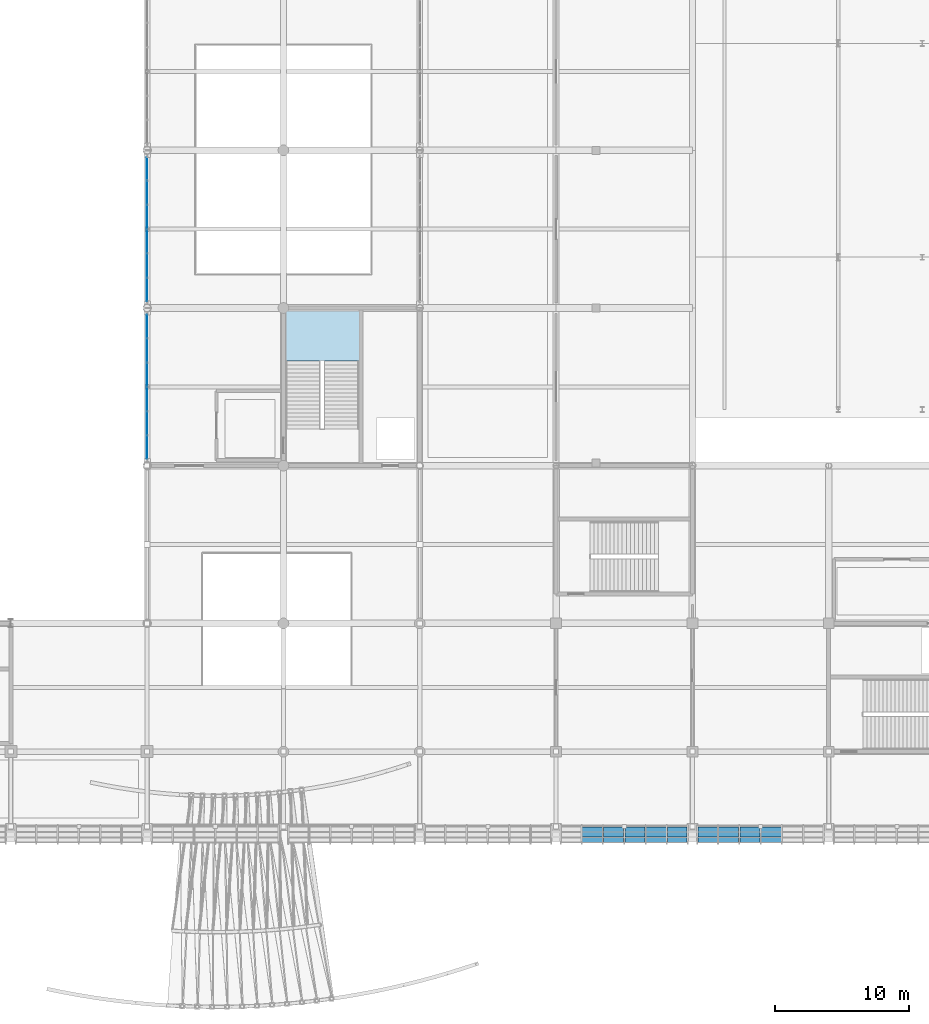
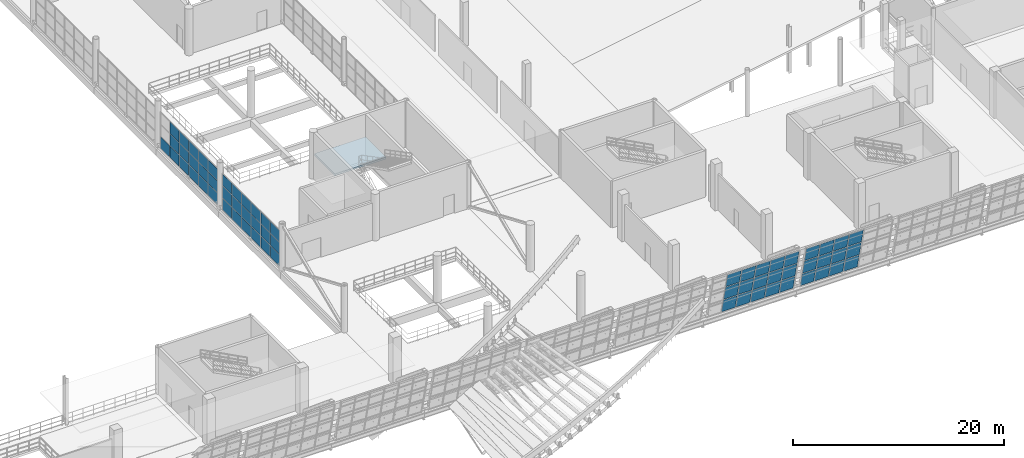
# One storey, part 113 of 175: 61 plates, 1 slab, 5 elements without a shape of their own.
"""IFC4 building model written with IfcOpenShell, lengths in metres."""

from ifc_helpers import new_model, si_unit, direction, frame, origin, origin_2d, place, context, subcontext, project, spatial, polyline, rectangle, outline, extrude, material, layer, layer_set, type_object, element, aggregate, save


model = new_model("IFC4")

# Units and contexts
model_context = context("Model", 3, precision=1e-05, world=origin(), true_north=direction((0.0, 1.0)))
body_context = subcontext(model_context, "Body", "Model", "MODEL_VIEW")
ifc_project = project(units=[si_unit("LENGTHUNIT", "METRE"), si_unit("AREAUNIT", "SQUARE_METRE"), si_unit("VOLUMEUNIT", "CUBIC_METRE"), si_unit("PLANEANGLEUNIT", "RADIAN"), si_unit("MASSUNIT", "GRAM", prefix="KILO")], contexts=[model_context])

# Site, building, storey
site_placement = place(None, origin())
site = spatial("IfcSite", under=ifc_project, at=site_placement, CompositionType="ELEMENT")
building_placement = place(site_placement, origin())
building = spatial("IfcBuilding", under=site, at=building_placement, Name="Brelvane Convention Centre", CompositionType="ELEMENT")
storey_placement = place(building_placement, frame((0.0, 0.0, 5.39990234375)))
storey = spatial("IfcBuildingStorey", under=building, at=storey_placement, Name="L01", CompositionType="ELEMENT", Elevation=5.39990234375)

# Curtain wall, plates
ifc_material_1 = material(Name="Anodised Aluminium Alloy 6063-T6", Category="aluminium")
curtain_wall_type_1 = type_object("IfcCurtainWallType", Name="Curtain Wall CW-HULL-S", PredefinedType="USERDEFINED", material=ifc_material_1)
curtain_wall_1_placement = place(storey_placement, origin())
curtain_wall_1 = element("IfcCurtainWall", 1, at=curtain_wall_1_placement, inside=storey, type_object=curtain_wall_type_1, Name="Curtain Wall CW-HULL-S L01-HULL-S-L01-18", ObjectType="UNITISED", PredefinedType="USERDEFINED")
ifc_material_2 = material(Name="Double Glazed Low-E Laminated Unit")
ifc_layer_1 = layer(ifc_material_2, 0.031982421875)
ifc_layer_set_1 = layer_set([ifc_layer_1], Name="Double Glazed Low-E Laminated Unit")
plate_type_1 = type_object("IfcPlateType", Name="Curtain Panel CW-PG1", PredefinedType="CURTAIN_PANEL", material=ifc_layer_set_1)
plate_1_placement = place(storey_placement, frame((175.353271484375, 13.18798828125, 1.7568359375), z_axis=(0.0, 0.973584535906, 0.228326852222), x_axis=(1.0, 0.0, 0.0)))
plate_1 = element("IfcPlate", 2, at=plate_1_placement, type_object=plate_type_1, Name="CW-HULL-S panel 2.2", PredefinedType="CURTAIN_PANEL", context=body_context, shape_type="SweptSolid", body=[
    extrude(outline(polyline([(0.0, 0.0), (1.513427734375, 0.0), (1.513427734375, -1.680875721647406), (0.0, -1.680875721647406), (0.0, 0.0)])), origin(), (0.0, 0.0, -1.0), 0.031982421875),
])
plate_2_placement = place(storey_placement, frame((175.353271484375, 12.785400390625, 3.473388671875), z_axis=(0.0, 0.973577021422, 0.228358891569), x_axis=(1.0, 0.0, 0.0)))
plate_2 = element("IfcPlate", 3, at=plate_2_placement, type_object=plate_type_1, Name="CW-HULL-S panel 2.3", PredefinedType="CURTAIN_PANEL", context=body_context, shape_type="SweptSolid", body=[
    extrude(outline(polyline([(0.0, 0.0), (1.513427734375, 0.0), (1.513427734375, -1.6400137352949753), (0.0, -1.6400137352949753), (0.0, 0.0)])), origin(), (0.0, 0.0, -1.0), 0.031982421875),
])
plate_3_placement = place(storey_placement, frame((176.94677734375, 13.18798828125, 1.7568359375), z_axis=(0.0, 0.973584535906, 0.228326852222), x_axis=(1.0, 0.0, 0.0)))
plate_3 = element("IfcPlate", 4, at=plate_3_placement, type_object=plate_type_1, Name="CW-HULL-S panel 3.2", PredefinedType="CURTAIN_PANEL", context=body_context, shape_type="SweptSolid", body=[
    extrude(outline(polyline([(0.0, 0.0), (1.51318359375, 0.0), (1.51318359375, -1.680875721647406), (0.0, -1.680875721647406), (0.0, 0.0)])), origin(), (0.0, 0.0, -1.0), 0.031982421875),
])
plate_4_placement = place(storey_placement, frame((176.94677734375, 12.785400390625, 3.473388671875), z_axis=(0.0, 0.973577021422, 0.228358891569), x_axis=(1.0, 0.0, 0.0)))
plate_4 = element("IfcPlate", 5, at=plate_4_placement, type_object=plate_type_1, Name="CW-HULL-S panel 3.3", PredefinedType="CURTAIN_PANEL", context=body_context, shape_type="SweptSolid", body=[
    extrude(outline(polyline([(0.0, 0.0), (1.51318359375, 0.0), (1.51318359375, -1.640013735294975), (0.0, -1.640013735294975), (0.0, 0.0)])), origin(), (0.0, 0.0, -1.0), 0.031982421875),
])
plate_5_placement = place(storey_placement, frame((178.5400390625, 13.18798828125, 1.7568359375), z_axis=(0.0, 0.973584535906, 0.228326852222), x_axis=(1.0, 0.0, 0.0)))
plate_5 = element("IfcPlate", 6, at=plate_5_placement, type_object=plate_type_1, Name="CW-HULL-S panel 4.2", PredefinedType="CURTAIN_PANEL", context=body_context, shape_type="SweptSolid", body=[
    extrude(outline(polyline([(0.0, 0.0), (1.51318359375, 0.0), (1.51318359375, -1.680875721647406), (0.0, -1.680875721647406), (0.0, 0.0)])), origin(), (0.0, 0.0, -1.0), 0.031982421875),
])
plate_6_placement = place(storey_placement, frame((178.5400390625, 12.785400390625, 3.473388671875), z_axis=(0.0, 0.973577021422, 0.228358891569), x_axis=(1.0, 0.0, 0.0)))
plate_6 = element("IfcPlate", 7, at=plate_6_placement, type_object=plate_type_1, Name="CW-HULL-S panel 4.3", PredefinedType="CURTAIN_PANEL", context=body_context, shape_type="SweptSolid", body=[
    extrude(outline(polyline([(0.0, 0.0), (1.51318359375, 0.0), (1.51318359375, -1.640013735294975), (0.0, -1.640013735294975), (0.0, 0.0)])), origin(), (0.0, 0.0, -1.0), 0.031982421875),
])
plate_7_placement = place(storey_placement, frame((180.13330078125, 13.18798828125, 1.7568359375), z_axis=(0.0, 0.973584535906, 0.228326852222), x_axis=(1.0, 0.0, 0.0)))
plate_7 = element("IfcPlate", 8, at=plate_7_placement, type_object=plate_type_1, Name="CW-HULL-S panel 5.2", PredefinedType="CURTAIN_PANEL", context=body_context, shape_type="SweptSolid", body=[
    extrude(outline(polyline([(0.0, 0.0), (1.513427734375, 0.0), (1.513427734375, -1.680875721647406), (0.0, -1.680875721647406), (0.0, 0.0)])), origin(), (0.0, 0.0, -1.0), 0.031982421875),
])
plate_8_placement = place(storey_placement, frame((180.13330078125, 12.785400390625, 3.473388671875), z_axis=(0.0, 0.973577021422, 0.228358891569), x_axis=(1.0, 0.0, 0.0)))
plate_8 = element("IfcPlate", 9, at=plate_8_placement, type_object=plate_type_1, Name="CW-HULL-S panel 5.3", PredefinedType="CURTAIN_PANEL", context=body_context, shape_type="SweptSolid", body=[
    extrude(outline(polyline([(0.0, 0.0), (1.513427734375, 0.0), (1.513427734375, -1.6400137352949753), (0.0, -1.6400137352949753), (0.0, 0.0)])), origin(), (0.0, 0.0, -1.0), 0.031982421875),
])
plate_9_placement = place(storey_placement, frame((181.7265625, 13.18798828125, 1.7568359375), z_axis=(0.0, 0.973584535906, 0.228326852222), x_axis=(1.0, 0.0, 0.0)))
plate_9 = element("IfcPlate", 10, at=plate_9_placement, type_object=plate_type_1, Name="CW-HULL-S panel 6.2", PredefinedType="CURTAIN_PANEL", context=body_context, shape_type="SweptSolid", body=[
    extrude(outline(polyline([(0.0, 0.0), (1.473388671875, 0.0), (1.473388671875, -1.680875721647406), (0.0, -1.680875721647406), (0.0, 0.0)])), origin(), (0.0, 0.0, -1.0), 0.031982421875),
])
plate_10_placement = place(storey_placement, frame((181.7265625, 12.785400390625, 3.473388671875), z_axis=(0.0, 0.973577021422, 0.228358891569), x_axis=(1.0, 0.0, 0.0)))
plate_10 = element("IfcPlate", 11, at=plate_10_placement, type_object=plate_type_1, Name="CW-HULL-S panel 6.3", PredefinedType="CURTAIN_PANEL", context=body_context, shape_type="SweptSolid", body=[
    extrude(outline(polyline([(0.0, 0.0), (1.473388671875, 0.0), (1.473388671875, -1.640013735294975), (0.0, -1.640013735294975), (0.0, 0.0)])), origin(), (0.0, 0.0, -1.0), 0.031982421875),
])

curtain_wall_2_placement = place(storey_placement, origin())
curtain_wall_2 = element("IfcCurtainWall", 12, at=curtain_wall_2_placement, inside=storey, type_object=curtain_wall_type_1, Name="Curtain Wall CW-HULL-S L01-HULL-S-L01-19", ObjectType="UNITISED", PredefinedType="USERDEFINED")
plate_11_placement = place(storey_placement, frame((184.0, 13.18798828125, 1.7568359375), z_axis=(0.0, 0.973584535906, 0.228326852222), x_axis=(1.0, 0.0, 0.0)))
plate_11 = element("IfcPlate", 13, at=plate_11_placement, type_object=plate_type_1, Name="CW-HULL-S panel 1.2", PredefinedType="CURTAIN_PANEL", context=body_context, shape_type="SweptSolid", body=[
    extrude(outline(polyline([(0.0, 0.0), (1.473388671875, 0.0), (1.473388671875, -1.680875721647406), (0.0, -1.680875721647406), (0.0, 0.0)])), origin(), (0.0, 0.0, -1.0), 0.031982421875),
])
plate_12_placement = place(storey_placement, frame((184.0, 12.785400390625, 3.473388671875), z_axis=(0.0, 0.973577021422, 0.228358891569), x_axis=(1.0, 0.0, 0.0)))
plate_12 = element("IfcPlate", 14, at=plate_12_placement, type_object=plate_type_1, Name="CW-HULL-S panel 1.3", PredefinedType="CURTAIN_PANEL", context=body_context, shape_type="SweptSolid", body=[
    extrude(outline(polyline([(0.0, 0.0), (1.473388671875, 0.0), (1.473388671875, -1.640013735294975), (0.0, -1.640013735294975), (0.0, 0.0)])), origin(), (0.0, 0.0, -1.0), 0.031982421875),
])
plate_13_placement = place(storey_placement, frame((185.55322265625, 13.18798828125, 1.7568359375), z_axis=(0.0, 0.973584535906, 0.228326852222), x_axis=(1.0, 0.0, 0.0)))
plate_13 = element("IfcPlate", 15, at=plate_13_placement, type_object=plate_type_1, Name="CW-HULL-S panel 2.2", PredefinedType="CURTAIN_PANEL", context=body_context, shape_type="SweptSolid", body=[
    extrude(outline(polyline([(0.0, 0.0), (1.513427734375, 0.0), (1.513427734375, -1.680875721647406), (0.0, -1.680875721647406), (0.0, 0.0)])), origin(), (0.0, 0.0, -1.0), 0.031982421875),
])
plate_14_placement = place(storey_placement, frame((185.55322265625, 12.785400390625, 3.473388671875), z_axis=(0.0, 0.973577021422, 0.228358891569), x_axis=(1.0, 0.0, 0.0)))
plate_14 = element("IfcPlate", 16, at=plate_14_placement, type_object=plate_type_1, Name="CW-HULL-S panel 2.3", PredefinedType="CURTAIN_PANEL", context=body_context, shape_type="SweptSolid", body=[
    extrude(outline(polyline([(0.0, 0.0), (1.513427734375, 0.0), (1.513427734375, -1.6400137352949753), (0.0, -1.6400137352949753), (0.0, 0.0)])), origin(), (0.0, 0.0, -1.0), 0.031982421875),
])
plate_15_placement = place(storey_placement, frame((187.146728515625, 13.18798828125, 1.7568359375), z_axis=(0.0, 0.973584535906, 0.228326852222), x_axis=(1.0, 0.0, 0.0)))
plate_15 = element("IfcPlate", 17, at=plate_15_placement, type_object=plate_type_1, Name="CW-HULL-S panel 3.2", PredefinedType="CURTAIN_PANEL", context=body_context, shape_type="SweptSolid", body=[
    extrude(outline(polyline([(0.0, 0.0), (1.51318359375, 0.0), (1.51318359375, -1.680875721647406), (0.0, -1.680875721647406), (0.0, 0.0)])), origin(), (0.0, 0.0, -1.0), 0.031982421875),
])
plate_16_placement = place(storey_placement, frame((187.146728515625, 12.785400390625, 3.473388671875), z_axis=(0.0, 0.973577021422, 0.228358891569), x_axis=(1.0, 0.0, 0.0)))
plate_16 = element("IfcPlate", 18, at=plate_16_placement, type_object=plate_type_1, Name="CW-HULL-S panel 3.3", PredefinedType="CURTAIN_PANEL", context=body_context, shape_type="SweptSolid", body=[
    extrude(outline(polyline([(0.0, 0.0), (1.51318359375, 0.0), (1.51318359375, -1.640013735294975), (0.0, -1.640013735294975), (0.0, 0.0)])), origin(), (0.0, 0.0, -1.0), 0.031982421875),
])
plate_17_placement = place(storey_placement, frame((188.739990234375, 13.18798828125, 1.7568359375), z_axis=(0.0, 0.973584535906, 0.228326852222), x_axis=(1.0, 0.0, 0.0)))
plate_17 = element("IfcPlate", 19, at=plate_17_placement, type_object=plate_type_1, Name="CW-HULL-S panel 4.2", PredefinedType="CURTAIN_PANEL", context=body_context, shape_type="SweptSolid", body=[
    extrude(outline(polyline([(0.0, 0.0), (1.513427734375, 0.0), (1.513427734375, -1.680875721647406), (0.0, -1.680875721647406), (0.0, 0.0)])), origin(), (0.0, 0.0, -1.0), 0.031982421875),
])
plate_18_placement = place(storey_placement, frame((188.739990234375, 12.785400390625, 3.473388671875), z_axis=(0.0, 0.973577021422, 0.228358891569), x_axis=(1.0, 0.0, 0.0)))
plate_18 = element("IfcPlate", 20, at=plate_18_placement, type_object=plate_type_1, Name="CW-HULL-S panel 4.3", PredefinedType="CURTAIN_PANEL", context=body_context, shape_type="SweptSolid", body=[
    extrude(outline(polyline([(0.0, 0.0), (1.513427734375, 0.0), (1.513427734375, -1.6400137352949753), (0.0, -1.6400137352949753), (0.0, 0.0)])), origin(), (0.0, 0.0, -1.0), 0.031982421875),
])

ifc_material_3 = material(Name="Anodised Aluminium Alloy 6063-T6", Category="aluminium")
curtain_wall_type_2 = type_object("IfcCurtainWallType", Name="Curtain Wall CW-CONC", PredefinedType="USERDEFINED", material=ifc_material_3)
curtain_wall_3_placement = place(storey_placement, origin())
curtain_wall_3 = element("IfcCurtainWall", 21, at=curtain_wall_3_placement, inside=storey, type_object=curtain_wall_type_2, Name="Curtain Wall CW-CONC L01-GAL-ATRIUM-W-1", ObjectType="UNITISED", PredefinedType="USERDEFINED")
plate_19_placement = place(storey_placement, frame((142.800048828125, 41.974609375, 0.06005859375), z_axis=(0.0, 0.0, 1.0), x_axis=(0.0, 1.0, 0.0)))
plate_19 = element("IfcPlate", 22, at=plate_19_placement, type_object=plate_type_1, Name="CW-CONC panel 1.1", PredefinedType="CURTAIN_PANEL", context=body_context, shape_type="SweptSolid", body=[
    extrude(rectangle(XDim=1.71923828125, YDim=0.031982421875, at=origin_2d()), origin(), (0.0, 0.0, 1.0), 1.32666015625),
])
plate_20_placement = place(storey_placement, frame((142.800048828125, 41.974609375, 1.44677734375), z_axis=(0.0, 0.0, 1.0), x_axis=(0.0, 1.0, 0.0)))
plate_20 = element("IfcPlate", 23, at=plate_20_placement, type_object=plate_type_1, Name="CW-CONC panel 1.2", PredefinedType="CURTAIN_PANEL", context=body_context, shape_type="SweptSolid", body=[
    extrude(rectangle(XDim=1.71923828125, YDim=0.031982421875, at=origin_2d()), origin(), (0.0, 0.0, 1.0), 1.356689453125),
])
plate_21_placement = place(storey_placement, frame((142.800048828125, 41.974609375, 2.863525390625), z_axis=(0.0, 0.0, 1.0), x_axis=(0.0, 1.0, 0.0)))
plate_21 = element("IfcPlate", 24, at=plate_21_placement, type_object=plate_type_1, Name="CW-CONC panel 1.3", PredefinedType="CURTAIN_PANEL", context=body_context, shape_type="SweptSolid", body=[
    extrude(rectangle(XDim=1.71923828125, YDim=0.031982421875, at=origin_2d()), origin(), (0.0, 0.0, 1.0), 1.32666015625),
])
plate_22_placement = place(storey_placement, frame((142.800048828125, 43.77490234375, 0.06005859375), z_axis=(0.0, 0.0, 1.0), x_axis=(0.0, 1.0, 0.0)))
plate_22 = element("IfcPlate", 25, at=plate_22_placement, type_object=plate_type_1, Name="CW-CONC panel 2.1", PredefinedType="CURTAIN_PANEL", context=body_context, shape_type="SweptSolid", body=[
    extrude(rectangle(XDim=1.751708984375, YDim=0.031982421875, at=origin_2d()), origin(), (0.0, 0.0, 1.0), 1.32666015625),
])
plate_23_placement = place(storey_placement, frame((142.800048828125, 43.77490234375, 1.44677734375), z_axis=(0.0, 0.0, 1.0), x_axis=(0.0, 1.0, 0.0)))
plate_23 = element("IfcPlate", 26, at=plate_23_placement, type_object=plate_type_1, Name="CW-CONC panel 2.2", PredefinedType="CURTAIN_PANEL", context=body_context, shape_type="SweptSolid", body=[
    extrude(rectangle(XDim=1.751708984375, YDim=0.031982421875, at=origin_2d()), origin(), (0.0, 0.0, 1.0), 1.356689453125),
])
plate_24_placement = place(storey_placement, frame((142.800048828125, 43.77490234375, 2.863525390625), z_axis=(0.0, 0.0, 1.0), x_axis=(0.0, 1.0, 0.0)))
plate_24 = element("IfcPlate", 27, at=plate_24_placement, type_object=plate_type_1, Name="CW-CONC panel 2.3", PredefinedType="CURTAIN_PANEL", context=body_context, shape_type="SweptSolid", body=[
    extrude(rectangle(XDim=1.751708984375, YDim=0.031982421875, at=origin_2d()), origin(), (0.0, 0.0, 1.0), 1.32666015625),
])
plate_25_placement = place(storey_placement, frame((142.800048828125, 45.591552734375, 0.06005859375), z_axis=(0.0, 0.0, 1.0), x_axis=(0.0, 1.0, 0.0)))
plate_25 = element("IfcPlate", 28, at=plate_25_placement, type_object=plate_type_1, Name="CW-CONC panel 3.1", PredefinedType="CURTAIN_PANEL", context=body_context, shape_type="SweptSolid", body=[
    extrude(rectangle(XDim=1.751708984375, YDim=0.031982421875, at=origin_2d()), origin(), (0.0, 0.0, 1.0), 1.32666015625),
])
plate_26_placement = place(storey_placement, frame((142.800048828125, 45.591552734375, 1.44677734375), z_axis=(0.0, 0.0, 1.0), x_axis=(0.0, 1.0, 0.0)))
plate_26 = element("IfcPlate", 29, at=plate_26_placement, type_object=plate_type_1, Name="CW-CONC panel 3.2", PredefinedType="CURTAIN_PANEL", context=body_context, shape_type="SweptSolid", body=[
    extrude(rectangle(XDim=1.751708984375, YDim=0.031982421875, at=origin_2d()), origin(), (0.0, 0.0, 1.0), 1.356689453125),
])
plate_27_placement = place(storey_placement, frame((142.800048828125, 45.591552734375, 2.863525390625), z_axis=(0.0, 0.0, 1.0), x_axis=(0.0, 1.0, 0.0)))
plate_27 = element("IfcPlate", 30, at=plate_27_placement, type_object=plate_type_1, Name="CW-CONC panel 3.3", PredefinedType="CURTAIN_PANEL", context=body_context, shape_type="SweptSolid", body=[
    extrude(rectangle(XDim=1.751708984375, YDim=0.031982421875, at=origin_2d()), origin(), (0.0, 0.0, 1.0), 1.32666015625),
])
plate_28_placement = place(storey_placement, frame((142.800048828125, 47.408447265625, 0.06005859375), z_axis=(0.0, 0.0, 1.0), x_axis=(0.0, 1.0, 0.0)))
plate_28 = element("IfcPlate", 31, at=plate_28_placement, type_object=plate_type_1, Name="CW-CONC panel 4.1", PredefinedType="CURTAIN_PANEL", context=body_context, shape_type="SweptSolid", body=[
    extrude(rectangle(XDim=1.751708984375, YDim=0.031982421875, at=origin_2d()), origin(), (0.0, 0.0, 1.0), 1.32666015625),
])
plate_29_placement = place(storey_placement, frame((142.800048828125, 47.408447265625, 1.44677734375), z_axis=(0.0, 0.0, 1.0), x_axis=(0.0, 1.0, 0.0)))
plate_29 = element("IfcPlate", 32, at=plate_29_placement, type_object=plate_type_1, Name="CW-CONC panel 4.2", PredefinedType="CURTAIN_PANEL", context=body_context, shape_type="SweptSolid", body=[
    extrude(rectangle(XDim=1.751708984375, YDim=0.031982421875, at=origin_2d()), origin(), (0.0, 0.0, 1.0), 1.356689453125),
])
plate_30_placement = place(storey_placement, frame((142.800048828125, 47.408447265625, 2.863525390625), z_axis=(0.0, 0.0, 1.0), x_axis=(0.0, 1.0, 0.0)))
plate_30 = element("IfcPlate", 33, at=plate_30_placement, type_object=plate_type_1, Name="CW-CONC panel 4.3", PredefinedType="CURTAIN_PANEL", context=body_context, shape_type="SweptSolid", body=[
    extrude(rectangle(XDim=1.751708984375, YDim=0.031982421875, at=origin_2d()), origin(), (0.0, 0.0, 1.0), 1.32666015625),
])
plate_31_placement = place(storey_placement, frame((142.800048828125, 49.22509765625, 0.06005859375), z_axis=(0.0, 0.0, 1.0), x_axis=(0.0, 1.0, 0.0)))
plate_31 = element("IfcPlate", 34, at=plate_31_placement, type_object=plate_type_1, Name="CW-CONC panel 5.1", PredefinedType="CURTAIN_PANEL", context=body_context, shape_type="SweptSolid", body=[
    extrude(rectangle(XDim=1.751708984375, YDim=0.031982421875, at=origin_2d()), origin(), (0.0, 0.0, 1.0), 1.32666015625),
])
plate_32_placement = place(storey_placement, frame((142.800048828125, 49.22509765625, 1.44677734375), z_axis=(0.0, 0.0, 1.0), x_axis=(0.0, 1.0, 0.0)))
plate_32 = element("IfcPlate", 35, at=plate_32_placement, type_object=plate_type_1, Name="CW-CONC panel 5.2", PredefinedType="CURTAIN_PANEL", context=body_context, shape_type="SweptSolid", body=[
    extrude(rectangle(XDim=1.751708984375, YDim=0.031982421875, at=origin_2d()), origin(), (0.0, 0.0, 1.0), 1.356689453125),
])
plate_33_placement = place(storey_placement, frame((142.800048828125, 49.22509765625, 2.863525390625), z_axis=(0.0, 0.0, 1.0), x_axis=(0.0, 1.0, 0.0)))
plate_33 = element("IfcPlate", 36, at=plate_33_placement, type_object=plate_type_1, Name="CW-CONC panel 5.3", PredefinedType="CURTAIN_PANEL", context=body_context, shape_type="SweptSolid", body=[
    extrude(rectangle(XDim=1.751708984375, YDim=0.031982421875, at=origin_2d()), origin(), (0.0, 0.0, 1.0), 1.32666015625),
])
plate_34_placement = place(storey_placement, frame((142.800048828125, 51.025390625, 0.06005859375), z_axis=(0.0, 0.0, 1.0), x_axis=(0.0, 1.0, 0.0)))
plate_34 = element("IfcPlate", 37, at=plate_34_placement, type_object=plate_type_1, Name="CW-CONC panel 6.1", PredefinedType="CURTAIN_PANEL", context=body_context, shape_type="SweptSolid", body=[
    extrude(rectangle(XDim=1.71923828125, YDim=0.031982421875, at=origin_2d()), origin(), (0.0, 0.0, 1.0), 1.32666015625),
])
plate_35_placement = place(storey_placement, frame((142.800048828125, 51.025390625, 1.44677734375), z_axis=(0.0, 0.0, 1.0), x_axis=(0.0, 1.0, 0.0)))
plate_35 = element("IfcPlate", 38, at=plate_35_placement, type_object=plate_type_1, Name="CW-CONC panel 6.2", PredefinedType="CURTAIN_PANEL", context=body_context, shape_type="SweptSolid", body=[
    extrude(rectangle(XDim=1.71923828125, YDim=0.031982421875, at=origin_2d()), origin(), (0.0, 0.0, 1.0), 1.356689453125),
])
plate_36_placement = place(storey_placement, frame((142.800048828125, 51.025390625, 2.863525390625), z_axis=(0.0, 0.0, 1.0), x_axis=(0.0, 1.0, 0.0)))
plate_36 = element("IfcPlate", 39, at=plate_36_placement, type_object=plate_type_1, Name="CW-CONC panel 6.3", PredefinedType="CURTAIN_PANEL", context=body_context, shape_type="SweptSolid", body=[
    extrude(rectangle(XDim=1.71923828125, YDim=0.031982421875, at=origin_2d()), origin(), (0.0, 0.0, 1.0), 1.32666015625),
])
aggregate(curtain_wall_3, [plate_19, plate_20, plate_21, plate_22, plate_23, plate_24, plate_25, plate_26, plate_27, plate_28, plate_29, plate_30, plate_31, plate_32, plate_33, plate_34, plate_35, plate_36])

curtain_wall_4_placement = place(storey_placement, origin())
curtain_wall_4 = element("IfcCurtainWall", 40, at=curtain_wall_4_placement, inside=storey, type_object=curtain_wall_type_2, Name="Curtain Wall CW-CONC L01-GAL-ATRIUM-W-2", ObjectType="UNITISED", PredefinedType="USERDEFINED")
plate_37_placement = place(storey_placement, frame((142.800048828125, 53.774658203125, 0.06005859375), z_axis=(0.0, 0.0, 1.0), x_axis=(0.0, 1.0, 0.0)))
plate_37 = element("IfcPlate", 41, at=plate_37_placement, type_object=plate_type_1, Name="CW-CONC panel 1.1", PredefinedType="CURTAIN_PANEL", context=body_context, shape_type="SweptSolid", body=[
    extrude(rectangle(XDim=1.71923828125, YDim=0.031982421875, at=origin_2d()), origin(), (0.0, 0.0, 1.0), 1.32666015625),
])
plate_38_placement = place(storey_placement, frame((142.800048828125, 53.774658203125, 1.44677734375), z_axis=(0.0, 0.0, 1.0), x_axis=(0.0, 1.0, 0.0)))
plate_38 = element("IfcPlate", 42, at=plate_38_placement, type_object=plate_type_1, Name="CW-CONC panel 1.2", PredefinedType="CURTAIN_PANEL", context=body_context, shape_type="SweptSolid", body=[
    extrude(rectangle(XDim=1.71923828125, YDim=0.031982421875, at=origin_2d()), origin(), (0.0, 0.0, 1.0), 1.356689453125),
])
plate_39_placement = place(storey_placement, frame((142.800048828125, 53.774658203125, 2.863525390625), z_axis=(0.0, 0.0, 1.0), x_axis=(0.0, 1.0, 0.0)))
plate_39 = element("IfcPlate", 43, at=plate_39_placement, type_object=plate_type_1, Name="CW-CONC panel 1.3", PredefinedType="CURTAIN_PANEL", context=body_context, shape_type="SweptSolid", body=[
    extrude(rectangle(XDim=1.71923828125, YDim=0.031982421875, at=origin_2d()), origin(), (0.0, 0.0, 1.0), 1.32666015625),
])
plate_40_placement = place(storey_placement, frame((142.800048828125, 55.574951171875, 0.06005859375), z_axis=(0.0, 0.0, 1.0), x_axis=(0.0, 1.0, 0.0)))
plate_40 = element("IfcPlate", 44, at=plate_40_placement, type_object=plate_type_1, Name="CW-CONC panel 2.1", PredefinedType="CURTAIN_PANEL", context=body_context, shape_type="SweptSolid", body=[
    extrude(rectangle(XDim=1.751708984375, YDim=0.031982421875, at=origin_2d()), origin(), (0.0, 0.0, 1.0), 1.32666015625),
])
plate_41_placement = place(storey_placement, frame((142.800048828125, 55.574951171875, 1.44677734375), z_axis=(0.0, 0.0, 1.0), x_axis=(0.0, 1.0, 0.0)))
plate_41 = element("IfcPlate", 45, at=plate_41_placement, type_object=plate_type_1, Name="CW-CONC panel 2.2", PredefinedType="CURTAIN_PANEL", context=body_context, shape_type="SweptSolid", body=[
    extrude(rectangle(XDim=1.751708984375, YDim=0.031982421875, at=origin_2d()), origin(), (0.0, 0.0, 1.0), 1.356689453125),
])
plate_42_placement = place(storey_placement, frame((142.800048828125, 55.574951171875, 2.863525390625), z_axis=(0.0, 0.0, 1.0), x_axis=(0.0, 1.0, 0.0)))
plate_42 = element("IfcPlate", 46, at=plate_42_placement, type_object=plate_type_1, Name="CW-CONC panel 2.3", PredefinedType="CURTAIN_PANEL", context=body_context, shape_type="SweptSolid", body=[
    extrude(rectangle(XDim=1.751708984375, YDim=0.031982421875, at=origin_2d()), origin(), (0.0, 0.0, 1.0), 1.32666015625),
])
plate_43_placement = place(storey_placement, frame((142.800048828125, 57.3916015625, 0.06005859375), z_axis=(0.0, 0.0, 1.0), x_axis=(0.0, 1.0, 0.0)))
plate_43 = element("IfcPlate", 47, at=plate_43_placement, type_object=plate_type_1, Name="CW-CONC panel 3.1", PredefinedType="CURTAIN_PANEL", context=body_context, shape_type="SweptSolid", body=[
    extrude(rectangle(XDim=1.751708984375, YDim=0.031982421875, at=origin_2d()), origin(), (0.0, 0.0, 1.0), 1.32666015625),
])
plate_44_placement = place(storey_placement, frame((142.800048828125, 57.3916015625, 1.44677734375), z_axis=(0.0, 0.0, 1.0), x_axis=(0.0, 1.0, 0.0)))
plate_44 = element("IfcPlate", 48, at=plate_44_placement, type_object=plate_type_1, Name="CW-CONC panel 3.2", PredefinedType="CURTAIN_PANEL", context=body_context, shape_type="SweptSolid", body=[
    extrude(rectangle(XDim=1.751708984375, YDim=0.031982421875, at=origin_2d()), origin(), (0.0, 0.0, 1.0), 1.356689453125),
])
plate_45_placement = place(storey_placement, frame((142.800048828125, 57.3916015625, 2.863525390625), z_axis=(0.0, 0.0, 1.0), x_axis=(0.0, 1.0, 0.0)))
plate_45 = element("IfcPlate", 49, at=plate_45_placement, type_object=plate_type_1, Name="CW-CONC panel 3.3", PredefinedType="CURTAIN_PANEL", context=body_context, shape_type="SweptSolid", body=[
    extrude(rectangle(XDim=1.751708984375, YDim=0.031982421875, at=origin_2d()), origin(), (0.0, 0.0, 1.0), 1.32666015625),
])
plate_46_placement = place(storey_placement, frame((142.800048828125, 59.208251953125, 0.06005859375), z_axis=(0.0, 0.0, 1.0), x_axis=(0.0, 1.0, 0.0)))
plate_46 = element("IfcPlate", 50, at=plate_46_placement, type_object=plate_type_1, Name="CW-CONC panel 4.1", PredefinedType="CURTAIN_PANEL", context=body_context, shape_type="SweptSolid", body=[
    extrude(rectangle(XDim=1.751708984375, YDim=0.031982421875, at=origin_2d()), origin(), (0.0, 0.0, 1.0), 1.32666015625),
])
plate_47_placement = place(storey_placement, frame((142.800048828125, 59.208251953125, 1.44677734375), z_axis=(0.0, 0.0, 1.0), x_axis=(0.0, 1.0, 0.0)))
plate_47 = element("IfcPlate", 51, at=plate_47_placement, type_object=plate_type_1, Name="CW-CONC panel 4.2", PredefinedType="CURTAIN_PANEL", context=body_context, shape_type="SweptSolid", body=[
    extrude(rectangle(XDim=1.751708984375, YDim=0.031982421875, at=origin_2d()), origin(), (0.0, 0.0, 1.0), 1.356689453125),
])
plate_48_placement = place(storey_placement, frame((142.800048828125, 59.208251953125, 2.863525390625), z_axis=(0.0, 0.0, 1.0), x_axis=(0.0, 1.0, 0.0)))
plate_48 = element("IfcPlate", 52, at=plate_48_placement, type_object=plate_type_1, Name="CW-CONC panel 4.3", PredefinedType="CURTAIN_PANEL", context=body_context, shape_type="SweptSolid", body=[
    extrude(rectangle(XDim=1.751708984375, YDim=0.031982421875, at=origin_2d()), origin(), (0.0, 0.0, 1.0), 1.32666015625),
])
plate_49_placement = place(storey_placement, frame((142.800048828125, 61.02490234375, 0.06005859375), z_axis=(0.0, 0.0, 1.0), x_axis=(0.0, 1.0, 0.0)))
plate_49 = element("IfcPlate", 53, at=plate_49_placement, type_object=plate_type_1, Name="CW-CONC panel 5.1", PredefinedType="CURTAIN_PANEL", context=body_context, shape_type="SweptSolid", body=[
    extrude(rectangle(XDim=1.751708984375, YDim=0.031982421875, at=origin_2d()), origin(), (0.0, 0.0, 1.0), 1.32666015625),
])
plate_50_placement = place(storey_placement, frame((142.800048828125, 61.02490234375, 1.44677734375), z_axis=(0.0, 0.0, 1.0), x_axis=(0.0, 1.0, 0.0)))
plate_50 = element("IfcPlate", 54, at=plate_50_placement, type_object=plate_type_1, Name="CW-CONC panel 5.2", PredefinedType="CURTAIN_PANEL", context=body_context, shape_type="SweptSolid", body=[
    extrude(rectangle(XDim=1.751708984375, YDim=0.031982421875, at=origin_2d()), origin(), (0.0, 0.0, 1.0), 1.356689453125),
])
plate_51_placement = place(storey_placement, frame((142.800048828125, 61.02490234375, 2.863525390625), z_axis=(0.0, 0.0, 1.0), x_axis=(0.0, 1.0, 0.0)))
plate_51 = element("IfcPlate", 55, at=plate_51_placement, type_object=plate_type_1, Name="CW-CONC panel 5.3", PredefinedType="CURTAIN_PANEL", context=body_context, shape_type="SweptSolid", body=[
    extrude(rectangle(XDim=1.751708984375, YDim=0.031982421875, at=origin_2d()), origin(), (0.0, 0.0, 1.0), 1.32666015625),
])
plate_52_placement = place(storey_placement, frame((142.800048828125, 62.825439453125, 0.06005859375), z_axis=(0.0, 0.0, 1.0), x_axis=(0.0, 1.0, 0.0)))
plate_52 = element("IfcPlate", 56, at=plate_52_placement, type_object=plate_type_1, Name="CW-CONC panel 6.1", PredefinedType="CURTAIN_PANEL", context=body_context, shape_type="SweptSolid", body=[
    extrude(rectangle(XDim=1.71923828125, YDim=0.031982421875, at=origin_2d()), origin(), (0.0, 0.0, 1.0), 1.32666015625),
])
aggregate(curtain_wall_4, [plate_37, plate_38, plate_39, plate_40, plate_41, plate_42, plate_43, plate_44, plate_45, plate_46, plate_47, plate_48, plate_49, plate_50, plate_51, plate_52])

# Plate
ifc_material_4 = material(Name="Patinated Copper-Bronze Alloy C22000")
ifc_layer_2 = layer(ifc_material_4, 0.048095703125)
ifc_layer_set_2 = layer_set([ifc_layer_2], Name="Patinated Copper-Bronze Alloy C22000")
plate_type_2 = type_object("IfcPlateType", Name="Curtain Panel CW-PS1", PredefinedType="CURTAIN_PANEL", material=ifc_layer_set_2)
plate_53_placement = place(storey_placement, frame((175.353271484375, 13.581298828125, 0.080078125), z_axis=(0.0, 0.973577021422, 0.228358891569), x_axis=(1.0, 0.0, 0.0)))
plate_53 = element("IfcPlate", 57, at=plate_53_placement, type_object=plate_type_2, Name="CW-HULL-S panel 2.1", PredefinedType="CURTAIN_PANEL", context=body_context, shape_type="SweptSolid", body=[
    extrude(outline(polyline([(0.0, 0.0), (1.513427734375, 0.0), (1.513427734375, -1.6400137352949753), (0.0, -1.6400137352949753), (0.0, 0.0)])), origin(), (0.0, 0.0, -1.0), 0.031982421875),
])

plate_54_placement = place(storey_placement, frame((176.94677734375, 13.581298828125, 0.080078125), z_axis=(0.0, 0.973577021422, 0.228358891569), x_axis=(1.0, 0.0, 0.0)))
plate_54 = element("IfcPlate", 58, at=plate_54_placement, type_object=plate_type_2, Name="CW-HULL-S panel 3.1", PredefinedType="CURTAIN_PANEL", context=body_context, shape_type="SweptSolid", body=[
    extrude(outline(polyline([(0.0, 0.0), (1.51318359375, 0.0), (1.51318359375, -1.640013735294975), (0.0, -1.640013735294975), (0.0, 0.0)])), origin(), (0.0, 0.0, -1.0), 0.031982421875),
])

plate_55_placement = place(storey_placement, frame((178.5400390625, 13.581298828125, 0.080078125), z_axis=(0.0, 0.973577021422, 0.228358891569), x_axis=(1.0, 0.0, 0.0)))
plate_55 = element("IfcPlate", 59, at=plate_55_placement, type_object=plate_type_2, Name="CW-HULL-S panel 4.1", PredefinedType="CURTAIN_PANEL", context=body_context, shape_type="SweptSolid", body=[
    extrude(outline(polyline([(0.0, 0.0), (1.51318359375, 0.0), (1.51318359375, -1.640013735294975), (0.0, -1.640013735294975), (0.0, 0.0)])), origin(), (0.0, 0.0, -1.0), 0.031982421875),
])

plate_56_placement = place(storey_placement, frame((180.13330078125, 13.581298828125, 0.080078125), z_axis=(0.0, 0.973577021422, 0.228358891569), x_axis=(1.0, 0.0, 0.0)))
plate_56 = element("IfcPlate", 60, at=plate_56_placement, type_object=plate_type_2, Name="CW-HULL-S panel 5.1", PredefinedType="CURTAIN_PANEL", context=body_context, shape_type="SweptSolid", body=[
    extrude(outline(polyline([(0.0, 0.0), (1.513427734375, 0.0), (1.513427734375, -1.6400137352949753), (0.0, -1.6400137352949753), (0.0, 0.0)])), origin(), (0.0, 0.0, -1.0), 0.031982421875),
])

plate_57_placement = place(storey_placement, frame((181.7265625, 13.581298828125, 0.080078125), z_axis=(0.0, 0.973577021422, 0.228358891569), x_axis=(1.0, 0.0, 0.0)))
plate_57 = element("IfcPlate", 61, at=plate_57_placement, type_object=plate_type_2, Name="CW-HULL-S panel 6.1", PredefinedType="CURTAIN_PANEL", context=body_context, shape_type="SweptSolid", body=[
    extrude(outline(polyline([(0.0, 0.0), (1.473388671875, 0.0), (1.473388671875, -1.640013735294975), (0.0, -1.640013735294975), (0.0, 0.0)])), origin(), (0.0, 0.0, -1.0), 0.031982421875),
])

aggregate(curtain_wall_1, [plate_53, plate_1, plate_2, plate_54, plate_3, plate_4, plate_55, plate_5, plate_6, plate_56, plate_7, plate_8, plate_57, plate_9, plate_10])

plate_58_placement = place(storey_placement, frame((184.0, 13.581298828125, 0.080078125), z_axis=(0.0, 0.973577021422, 0.228358891569), x_axis=(1.0, 0.0, 0.0)))
plate_58 = element("IfcPlate", 62, at=plate_58_placement, type_object=plate_type_2, Name="CW-HULL-S panel 1.1", PredefinedType="CURTAIN_PANEL", context=body_context, shape_type="SweptSolid", body=[
    extrude(outline(polyline([(0.0, 0.0), (1.473388671875, 0.0), (1.473388671875, -1.640013735294975), (0.0, -1.640013735294975), (0.0, 0.0)])), origin(), (0.0, 0.0, -1.0), 0.031982421875),
])

plate_59_placement = place(storey_placement, frame((185.55322265625, 13.581298828125, 0.080078125), z_axis=(0.0, 0.973577021422, 0.228358891569), x_axis=(1.0, 0.0, 0.0)))
plate_59 = element("IfcPlate", 63, at=plate_59_placement, type_object=plate_type_2, Name="CW-HULL-S panel 2.1", PredefinedType="CURTAIN_PANEL", context=body_context, shape_type="SweptSolid", body=[
    extrude(outline(polyline([(0.0, 0.0), (1.513427734375, 0.0), (1.513427734375, -1.6400137352949753), (0.0, -1.6400137352949753), (0.0, 0.0)])), origin(), (0.0, 0.0, -1.0), 0.031982421875),
])

plate_60_placement = place(storey_placement, frame((187.146728515625, 13.581298828125, 0.080078125), z_axis=(0.0, 0.973577021422, 0.228358891569), x_axis=(1.0, 0.0, 0.0)))
plate_60 = element("IfcPlate", 64, at=plate_60_placement, type_object=plate_type_2, Name="CW-HULL-S panel 3.1", PredefinedType="CURTAIN_PANEL", context=body_context, shape_type="SweptSolid", body=[
    extrude(outline(polyline([(0.0, 0.0), (1.51318359375, 0.0), (1.51318359375, -1.640013735294975), (0.0, -1.640013735294975), (0.0, 0.0)])), origin(), (0.0, 0.0, -1.0), 0.031982421875),
])

plate_61_placement = place(storey_placement, frame((188.739990234375, 13.581298828125, 0.080078125), z_axis=(0.0, 0.973577021422, 0.228358891569), x_axis=(1.0, 0.0, 0.0)))
plate_61 = element("IfcPlate", 65, at=plate_61_placement, type_object=plate_type_2, Name="CW-HULL-S panel 4.1", PredefinedType="CURTAIN_PANEL", context=body_context, shape_type="SweptSolid", body=[
    extrude(outline(polyline([(0.0, 0.0), (1.513427734375, 0.0), (1.513427734375, -1.6400137352949753), (0.0, -1.6400137352949753), (0.0, 0.0)])), origin(), (0.0, 0.0, -1.0), 0.031982421875),
])

aggregate(curtain_wall_2, [plate_58, plate_11, plate_12, plate_59, plate_13, plate_14, plate_60, plate_15, plate_16, plate_61, plate_17, plate_18])

# Stair, slab
ifc_material_5 = material(Name="Concrete M40", Category="concrete")
stair_type = type_object("IfcStairType", Name="Exit Stair ST-ASM", PredefinedType="HALF_TURN_STAIR", material=ifc_material_5)
stair_placement = place(storey_placement, origin())
stair = element("IfcStair", 66, at=stair_placement, inside=storey, type_object=stair_type, Name="Exit Stair ST-03 (L01 to L02)", PredefinedType="HALF_TURN_STAIR")
ifc_material_6 = material(Name="Concrete M40", Category="concrete")
ifc_layer_3 = layer(ifc_material_6, 0.219970703125)
ifc_layer_set_3 = layer_set([ifc_layer_3], Name="Concrete M40")
slab_type = type_object("IfcSlabType", Name="Stair Landing SL-LND-220", PredefinedType="LANDING", material=ifc_layer_set_3)
slab_placement = place(storey_placement, frame((0.0, 0.0, 2.47998046875)))
slab = element("IfcSlab", 67, at=slab_placement, type_object=slab_type, Name="Stair ST-03 L01 Half Landing", PredefinedType="LANDING", context=body_context, shape_type="SweptSolid", body=[
    extrude(outline(polyline([(153.080078125, 48.419921875), (158.719970703125, 48.419921875), (158.719970703125, 52.320068359375), (153.080078125, 52.320068359375), (153.080078125, 48.419921875)])), origin(), (0.0, 0.0, 1.0), 0.22021484375),
])
aggregate(stair, [slab])

save(model, "model.ifc")
